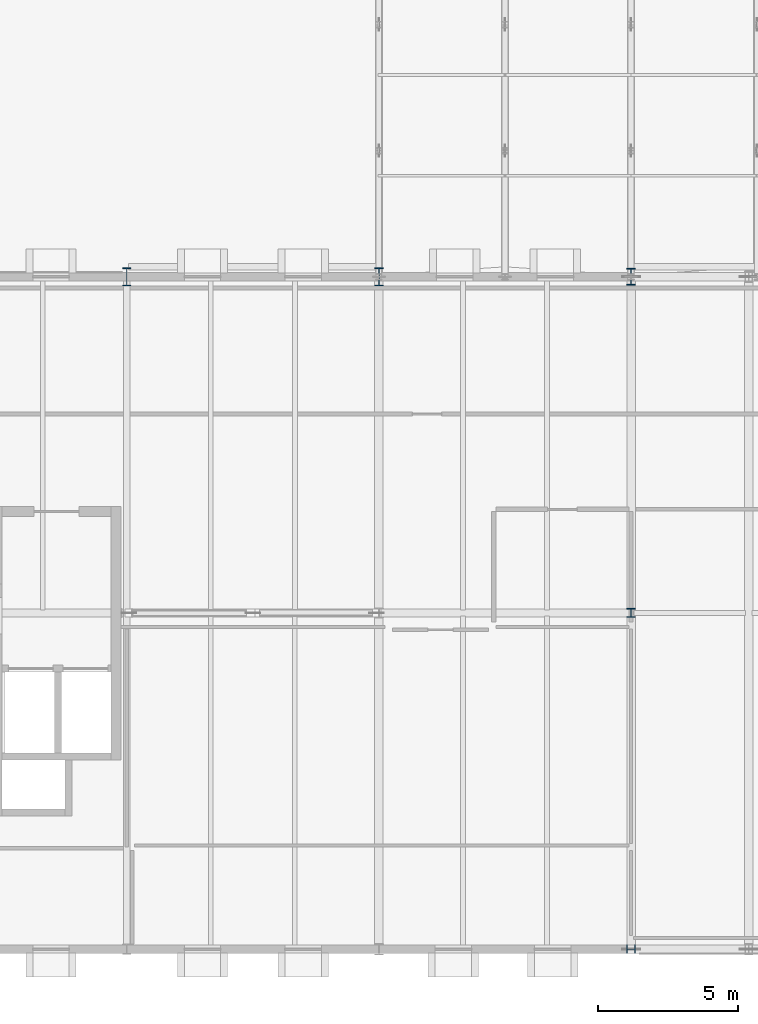
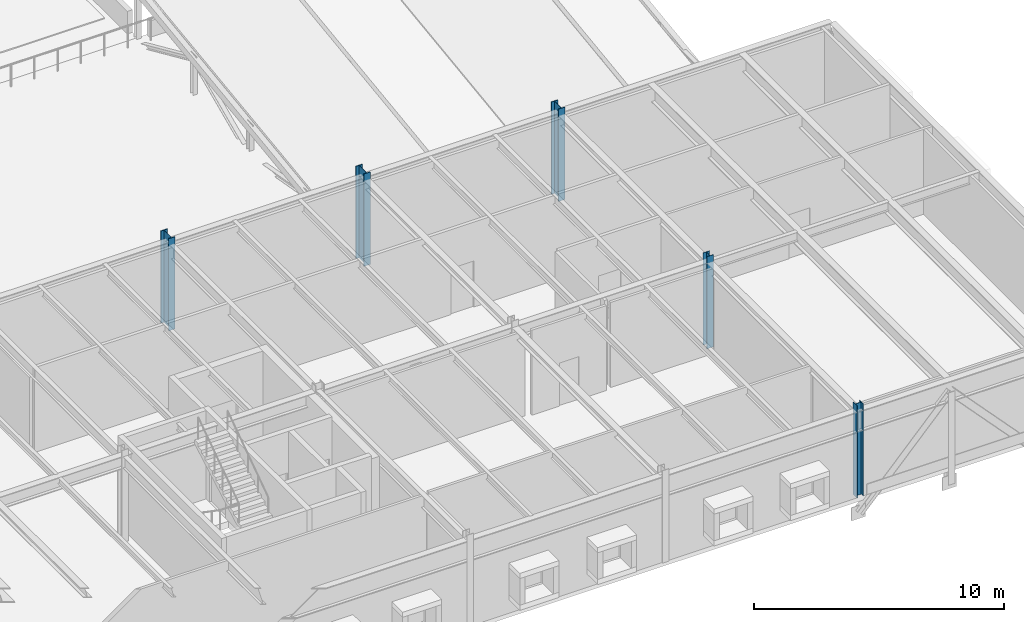
# One storey, part 5 of 142: 5 columns.
"""IFC4 building model written with IfcOpenShell, lengths in metres."""

from ifc_helpers import new_model, si_unit, direction, frame, origin, origin_2d, place, context, subcontext, project, spatial, i_section, extrude, material, material_profile, profile_set, type_object, element, save


model = new_model("IFC4")

# Units and contexts
model_context = context("Model", 3, precision=1e-05, world=origin(), true_north=direction((0.0, 1.0)))
body_context = subcontext(model_context, "Body", "Model", "MODEL_VIEW")
ifc_project = project(units=[si_unit("LENGTHUNIT", "METRE"), si_unit("AREAUNIT", "SQUARE_METRE"), si_unit("VOLUMEUNIT", "CUBIC_METRE"), si_unit("PLANEANGLEUNIT", "RADIAN"), si_unit("MASSUNIT", "GRAM", prefix="KILO")], contexts=[model_context])

# Site, building, storey
site_placement = place(None, origin())
site = spatial("IfcSite", under=ifc_project, at=site_placement, CompositionType="ELEMENT")
building_placement = place(site_placement, origin())
building = spatial("IfcBuilding", under=site, at=building_placement, Name="Montelvaro Courts of Justice", CompositionType="ELEMENT")
storey_placement = place(building_placement, frame((0.0, 0.0, 14.39990234375)))
storey = spatial("IfcBuildingStorey", under=building, at=storey_placement, Name="L03", CompositionType="ELEMENT", Elevation=14.39990234375)

# Columns
ifc_material = material(Name="Steel S355", Category="steel")
ifc_material_profile_1 = material_profile(ifc_material, i_section(OverallWidth=0.300048828125, OverallDepth=0.300048828125, WebThickness=0.010986328125, FlangeThickness=0.01904296875, at=origin_2d()), Name="HEB 300")
ifc_profile_set_1 = profile_set([ifc_material_profile_1], Name="Steel S355")
column_type_1 = type_object("IfcColumnType", Name="Col_HEB300", PredefinedType="COLUMN", material=ifc_profile_set_1)
column_1_placement = place(storey_placement, frame((135.0, 0.0, 0.0), z_axis=(0.0, 0.0, 1.0), x_axis=(0.0, 1.0, 0.0)))
element("IfcColumn", 1, at=column_1_placement, inside=storey, type_object=column_type_1, Name="Column C-03 L03 16/A", PredefinedType="COLUMN", context=body_context, shape_type="SweptSolid", body=[
    extrude(i_section(OverallWidth=0.300048828125, OverallDepth=0.300048828125, WebThickness=0.010986328125, FlangeThickness=0.01904296875, at=origin_2d()), origin(), (0.0, 0.0, 1.0), 4.5),
])
ifc_material_profile_2 = material_profile(ifc_material, i_section(OverallWidth=0.300048828125, OverallDepth=0.320068359375, WebThickness=0.011474609375, FlangeThickness=0.0205078125, at=origin_2d()), Name="HEB 320")
ifc_profile_set_2 = profile_set([ifc_material_profile_2], Name="Steel S355")
column_type_2 = type_object("IfcColumnType", Name="Col_HEB320", PredefinedType="COLUMN", material=ifc_profile_set_2)
column_2_placement = place(storey_placement, frame((135.0, 12.0, 0.0), z_axis=(0.0, 0.0, 1.0), x_axis=(1.0, 0.0, 0.0)))
element("IfcColumn", 2, at=column_2_placement, inside=storey, type_object=column_type_2, Name="Column C-04 L03 16/B", PredefinedType="COLUMN", context=body_context, shape_type="SweptSolid", body=[
    extrude(i_section(OverallWidth=0.300048828125, OverallDepth=0.320068359375, WebThickness=0.011474609375, FlangeThickness=0.0205078125, at=origin_2d()), origin(), (0.0, 0.0, 1.0), 4.5),
])
ifc_material_profile_3 = material_profile(ifc_material, i_section(OverallWidth=0.300048828125, OverallDepth=0.60009765625, WebThickness=0.015380859375, FlangeThickness=0.030029296875, at=origin_2d()), Name="HEB 600")
ifc_profile_set_3 = profile_set([ifc_material_profile_3], Name="Steel S355")
column_type_3 = type_object("IfcColumnType", Name="Col_HEB600", PredefinedType="COLUMN", material=ifc_profile_set_3)
column_3_placement = place(storey_placement, frame((135.0, 24.0, 0.0), z_axis=(0.0, 0.0, 1.0), x_axis=(1.0, 0.0, 0.0)))
element("IfcColumn", 3, at=column_3_placement, inside=storey, type_object=column_type_3, Name="Column C-11 L03 16/C", PredefinedType="COLUMN", context=body_context, shape_type="SweptSolid", body=[
    extrude(i_section(OverallWidth=0.300048828125, OverallDepth=0.60009765625, WebThickness=0.015380859375, FlangeThickness=0.030029296875, at=origin_2d()), origin(), (0.0, 0.0, 1.0), 4.5),
])
ifc_material_profile_4 = material_profile(ifc_material, i_section(OverallWidth=0.300048828125, OverallDepth=0.64990234375, WebThickness=0.01611328125, FlangeThickness=0.031005859375, at=origin_2d()), Name="HEB 650")
ifc_profile_set_4 = profile_set([ifc_material_profile_4], Name="Steel S355")
column_type_4 = type_object("IfcColumnType", Name="Col_HEB650", PredefinedType="COLUMN", material=ifc_profile_set_4)
for number, where, z_axis, x_axis, name in (
    (4, (117.0, 24.0, 0.0), (0.0, 0.0, 1.0), (1.0, 0.0, 0.0), "Column C-12 L03 14/C"),
    (5, (126.0, 24.0, 0.0), (0.0, 0.0, 1.0), (1.0, 0.0, 0.0), "Column C-12 L03 15/C"),
):
    element("IfcColumn", number, at=place(storey_placement, frame(where, z_axis=z_axis, x_axis=x_axis)), inside=storey, type_object=column_type_4, Name=name, PredefinedType="COLUMN", context=body_context, shape_type="SweptSolid", body=[
        extrude(i_section(OverallWidth=0.300048828125, OverallDepth=0.64990234375, WebThickness=0.01611328125, FlangeThickness=0.031005859375, at=origin_2d()), origin(), (0.0, 0.0, 1.0), 4.5),
    ])

save(model, "model.ifc")
